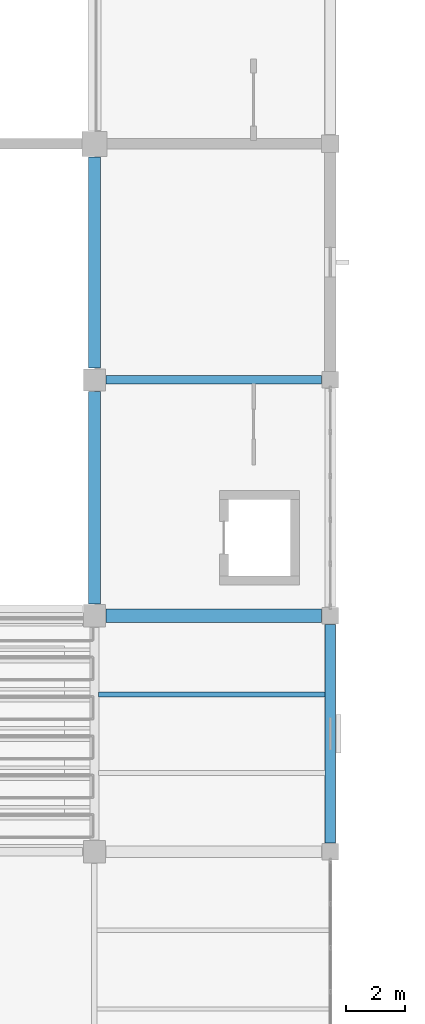
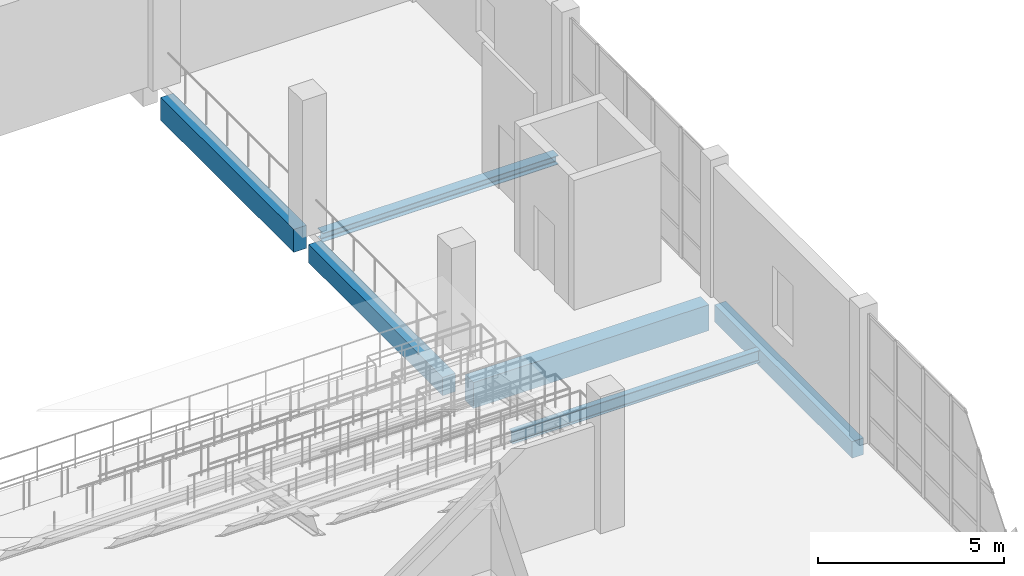
# One storey, part 50 of 183: 6 beams.
"""IFC4 building model written with IfcOpenShell, lengths in metres."""

from ifc_helpers import new_model, si_unit, direction, frame, origin, origin_2d, place, context, subcontext, project, spatial, rectangle, i_section, extrude, material, material_profile, profile_set, type_object, element, save


model = new_model("IFC4")

# Units and contexts
model_context = context("Model", 3, precision=1e-05, world=origin(), true_north=direction((0.0, 1.0)))
body_context = subcontext(model_context, "Body", "Model", "MODEL_VIEW")
ifc_project = project(units=[si_unit("LENGTHUNIT", "METRE"), si_unit("AREAUNIT", "SQUARE_METRE"), si_unit("VOLUMEUNIT", "CUBIC_METRE"), si_unit("PLANEANGLEUNIT", "RADIAN"), si_unit("MASSUNIT", "GRAM", prefix="KILO")], contexts=[model_context])

# Site, building, storey
site_placement = place(None, origin())
site = spatial("IfcSite", under=ifc_project, at=site_placement, CompositionType="ELEMENT")
building_placement = place(site_placement, origin())
building = spatial("IfcBuilding", under=site, at=building_placement, Name="Luwemba Playhouse", CompositionType="ELEMENT")
storey_placement = place(building_placement, frame((0.0, 0.0, 4.800048828125)))
storey = spatial("IfcBuildingStorey", under=building, at=storey_placement, Name="L01", CompositionType="ELEMENT", Elevation=4.800048828125)

# Beams
ifc_material_1 = material(Name="Concrete C40/50", Category="concrete")
ifc_material_profile_1 = material_profile(ifc_material_1, rectangle(XDim=0.39990234375, YDim=0.60009765625, at=origin_2d()))
ifc_profile_set_1 = profile_set([ifc_material_profile_1], Name="Concrete C40/50")
beam_type_1 = type_object("IfcBeamType", Name="BM-RB01", PredefinedType="BEAM", material=ifc_profile_set_1)
beam_1_placement = place(storey_placement, frame((44.0, 52.39990234375, -0.550048828125), z_axis=(0.0, 1.0, 0.0), x_axis=(-1.0, 0.0, 0.0)))
element("IfcBeam", 1, at=beam_1_placement, inside=storey, type_object=beam_type_1, Name="L01 transverse girder 0369", PredefinedType="BEAM", context=body_context, shape_type="SweptSolid", body=[
    extrude(rectangle(XDim=0.39990234375, YDim=0.60009765625, at=origin_2d()), origin(), (0.0, 0.0, 1.0), 7.2001953125),
])
ifc_material_profile_2 = material_profile(ifc_material_1, rectangle(XDim=0.39990234375, YDim=0.75, at=origin_2d()))
ifc_profile_set_2 = profile_set([ifc_material_profile_2], Name="Concrete C40/50")
beam_type_2 = type_object("IfcBeamType", Name="BM-RB03", PredefinedType="BEAM", material=ifc_profile_set_2)
beam_2_placement = place(storey_placement, frame((44.0, 60.39990234375, -0.625), z_axis=(0.0, 1.0, 0.0), x_axis=(-1.0, 0.0, 0.0)))
element("IfcBeam", 2, at=beam_2_placement, inside=storey, type_object=beam_type_2, Name="L01 transverse girder 0370", PredefinedType="BEAM", context=body_context, shape_type="SweptSolid", body=[
    extrude(rectangle(XDim=0.39990234375, YDim=0.75, at=origin_2d()), origin(), (0.0, 0.0, 1.0), 7.150146484375),
])
ifc_material_profile_3 = material_profile(ifc_material_1, rectangle(XDim=0.449951171875, YDim=0.85009765625, at=origin_2d()))
ifc_profile_set_3 = profile_set([ifc_material_profile_3], Name="Concrete C40/50")
beam_type_3 = type_object("IfcBeamType", Name="BM-RB05", PredefinedType="BEAM", material=ifc_profile_set_3)
beam_3_placement = place(storey_placement, frame((44.39990234375, 52.0, -0.675048828125), z_axis=(1.0, 0.0, 0.0), x_axis=(0.0, 1.0, 0.0)))
element("IfcBeam", 3, at=beam_3_placement, inside=storey, type_object=beam_type_3, Name="L01 grid girder 0353", PredefinedType="BEAM", context=body_context, shape_type="SweptSolid", body=[
    extrude(rectangle(XDim=0.449951171875, YDim=0.85009765625, at=origin_2d()), origin(), (0.0, 0.0, 1.0), 7.300048828125),
])
ifc_material_2 = material(Name="Steel S355", Category="steel")
ifc_material_profile_4 = material_profile(ifc_material_2, i_section(OverallWidth=0.300048828125, OverallDepth=0.2900390625, WebThickness=0.008544921875, FlangeThickness=0.013916015625, FilletRadius=0.027099609375, at=origin_2d()))
ifc_profile_set_4 = profile_set([ifc_material_profile_4], Name="Steel S355")
beam_type_4 = type_object("IfcBeamType", Name="BM-SB03", PredefinedType="BEAM", material=ifc_profile_set_4)
beam_4_placement = place(storey_placement, frame((44.39990234375, 60.0, -0.39501953125), z_axis=(1.0, 0.0, 0.0), x_axis=(0.0, 1.0, 0.0)))
element("IfcBeam", 4, at=beam_4_placement, inside=storey, type_object=beam_type_4, Name="L01 grid girder 0355", PredefinedType="BEAM", context=body_context, shape_type="SweptSolid", body=[
    extrude(i_section(OverallWidth=0.300048828125, OverallDepth=0.2900390625, WebThickness=0.008544921875, FlangeThickness=0.013916015625, FilletRadius=0.027099609375, at=origin_2d()), origin(), (0.0, 0.0, 1.0), 7.300048828125),
])
ifc_material_profile_5 = material_profile(ifc_material_2, i_section(OverallWidth=0.179931640625, OverallDepth=0.39990234375, WebThickness=0.008544921875, FlangeThickness=0.013427734375, FilletRadius=0.02099609375, at=origin_2d()))
ifc_profile_set_5 = profile_set([ifc_material_profile_5], Name="Steel S355")
beam_type_5 = type_object("IfcBeamType", Name="BM-SJ08", PredefinedType="JOIST", material=ifc_profile_set_5)
beam_5_placement = place(storey_placement, frame((44.14599609375, 49.333251953125, -0.449951171875), z_axis=(1.0, 0.0, 0.0), x_axis=(0.0, 1.0, 0.0)))
element("IfcBeam", 5, at=beam_5_placement, inside=storey, type_object=beam_type_5, Name="L01 composite floor joist 0249", PredefinedType="JOIST", context=body_context, shape_type="SweptSolid", body=[
    extrude(i_section(OverallWidth=0.179931640625, OverallDepth=0.39990234375, WebThickness=0.008544921875, FlangeThickness=0.013427734375, FilletRadius=0.02099609375, at=origin_2d()), origin(), (0.0, 0.0, 1.0), 7.68310546875),
])
ifc_material_profile_6 = material_profile(ifc_material_1, rectangle(XDim=0.35009765625, YDim=0.550048828125, at=origin_2d()))
ifc_profile_set_6 = profile_set([ifc_material_profile_6], Name="Concrete C40/50")
beam_type_6 = type_object("IfcBeamType", Name="BM-SP2", PredefinedType="SPANDREL", material=ifc_profile_set_6)
beam_6_placement = place(storey_placement, frame((52.0, 44.300048828125, -0.525146484375), z_axis=(0.0, 1.0, 0.0), x_axis=(-1.0, 0.0, 0.0)))
element("IfcBeam", 6, at=beam_6_placement, inside=storey, type_object=beam_type_6, Name="L01 transverse girder 0372", PredefinedType="SPANDREL", context=body_context, shape_type="SweptSolid", body=[
    extrude(rectangle(XDim=0.35009765625, YDim=0.550048828125, at=origin_2d()), origin(), (0.0, 0.0, 1.0), 7.39990234375),
])

save(model, "model.ifc")
